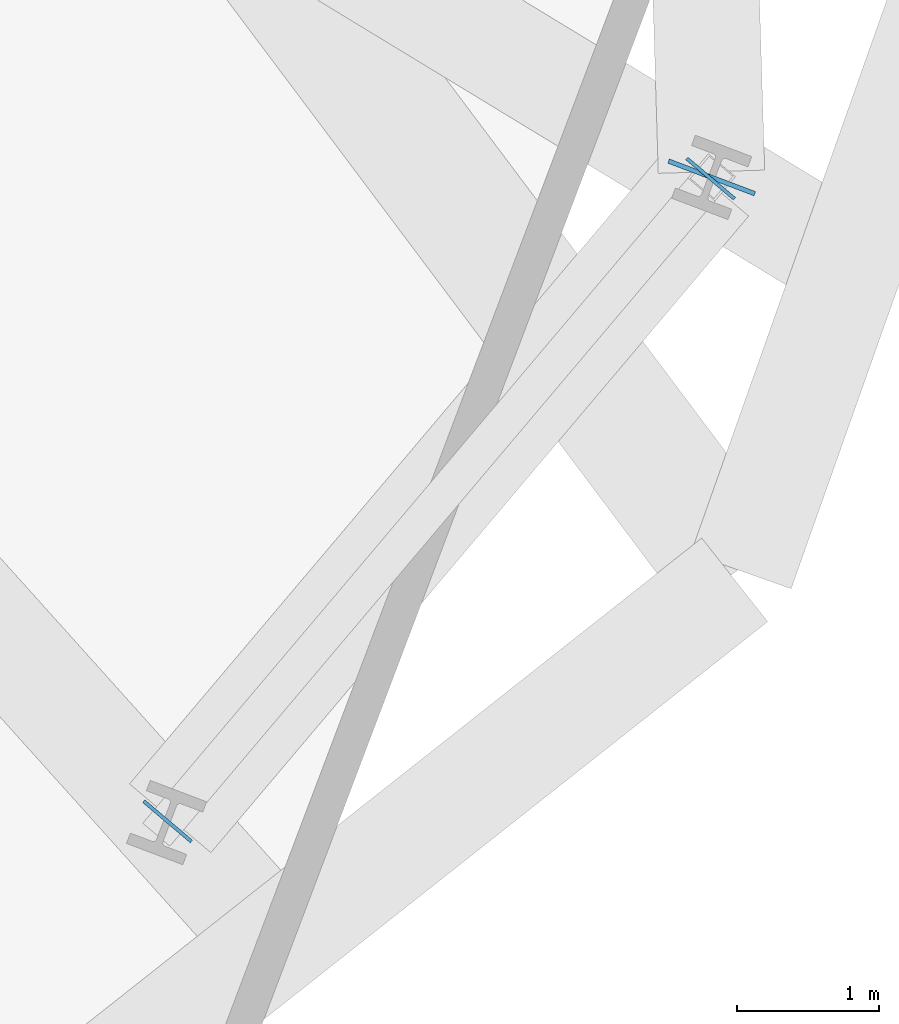
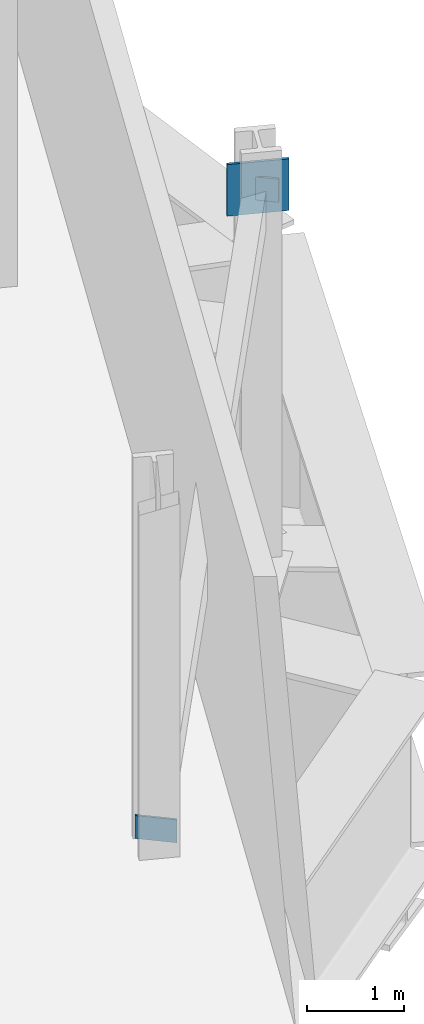
# One storey, part 5 of 11: 3 plates.
"""IFC4 building model written with IfcOpenShell, lengths in metres."""

from ifc_helpers import new_model, si_unit, direction, frame, origin, origin_2d, place, context, subcontext, project, spatial, rectangle, extrude, source, transform, mapped, material, layer, layer_set, type_object, element, save


model = new_model("IFC4")

# Units and contexts
model_context = context("Model", 3, precision=1e-05, world=origin(), true_north=direction((0.0, 1.0)))
body_context = subcontext(model_context, "Body", "Model", "MODEL_VIEW")
ifc_project = project(units=[si_unit("LENGTHUNIT", "METRE"), si_unit("AREAUNIT", "SQUARE_METRE"), si_unit("VOLUMEUNIT", "CUBIC_METRE"), si_unit("PLANEANGLEUNIT", "RADIAN"), si_unit("MASSUNIT", "GRAM", prefix="KILO")], contexts=[model_context])

# Site, building, storey
site_placement = place(None, origin())
site = spatial("IfcSite", under=ifc_project, at=site_placement, CompositionType="ELEMENT")
building_placement = place(site_placement, origin())
building = spatial("IfcBuilding", under=site, at=building_placement, Name="Varnelok Gate Tower", CompositionType="ELEMENT")
storey_placement = place(building_placement, frame((0.0, 0.0, 71.39990234375)))
storey = spatial("IfcBuildingStorey", under=building, at=storey_placement, Name="L17", CompositionType="ELEMENT", Elevation=71.39990234375)

# Plates
ifc_material = material(Name="Structural Steel ASTM A572 Grade 50", Category="steel")
ifc_layer_1 = layer(ifc_material, 0.02490234375)
ifc_layer_set_1 = layer_set([ifc_layer_1], Name="Structural Steel ASTM A572 Grade 50")
plate_type_1 = type_object("IfcPlateType", Name="PLT-ENDCAP-25", PredefinedType="SHEET", material=ifc_layer_set_1)
shared_shape_1 = source(origin(), body_context, "Body", "SweptSolid", [
    extrude(rectangle(XDim=0.02490234375, YDim=0.43994140625, at=origin_2d()), origin(), (0.0, 0.0, 1.0), 0.2900390625),
])
for number, where, z_axis, x_axis, name in (
    (1, (67.64404296875, 3.636474609375, 0.062744140625), (0.0, 0.0, 1.0), (0.645377699652, 0.763863616618, 0.0), "L17 hollow member sealed end plate 1"),
    (2, (71.46923828125, 8.163818359375, 4.04736328125), (0.0, 0.0, 1.0), (0.645377699652, 0.763863616618, 0.0), "L17 hollow member sealed end plate 2"),
):
    element("IfcPlate", number, at=place(storey_placement, frame(where, z_axis=z_axis, x_axis=x_axis)), inside=storey, type_object=plate_type_1, Name=name, PredefinedType="SHEET", context=body_context, shape_type="MappedRepresentation", body=[
        mapped(shared_shape_1, transform((0.0, 0.0, 0.0), scale=1.0)),
    ])
ifc_layer_2 = layer(ifc_material, 0.031982421875)
ifc_layer_set_2 = layer_set([ifc_layer_2], Name="Structural Steel ASTM A572 Grade 50")
plate_type_2 = type_object("IfcPlateType", Name="PLT-GUSSET-32", PredefinedType="USERDEFINED", material=ifc_layer_set_2)
shared_shape_2 = source(origin(), body_context, "Body", "SweptSolid", [
    extrude(rectangle(XDim=0.64990234375, YDim=0.031982421875, at=origin_2d()), origin(), (0.0, 0.0, 1.0), 0.64990234375),
])
plate_placement = place(storey_placement, frame((71.4765625, 8.172607421875, 3.875244140625), z_axis=(0.0, 0.0, 1.0), x_axis=(0.935221751401, -0.354062530786, 0.0)))
element("IfcPlate", 3, at=plate_placement, inside=storey, type_object=plate_type_2, Name="L17 Belt Truss Node Gusset Plate BN-1", ObjectType="GUSSET PLATE", PredefinedType="USERDEFINED", context=body_context, shape_type="MappedRepresentation", body=[
    mapped(shared_shape_2, transform((0.0, 0.0, 0.0), scale=1.0)),
])

save(model, "model.ifc")
